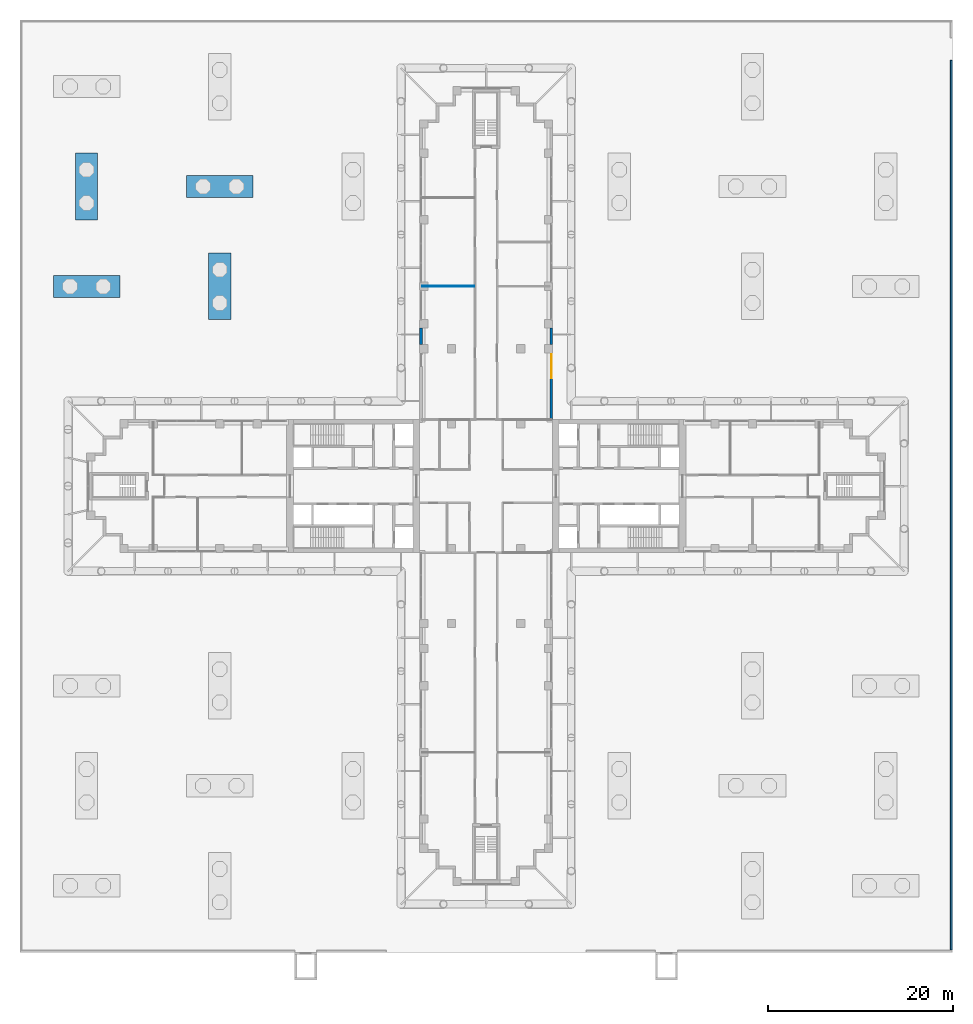
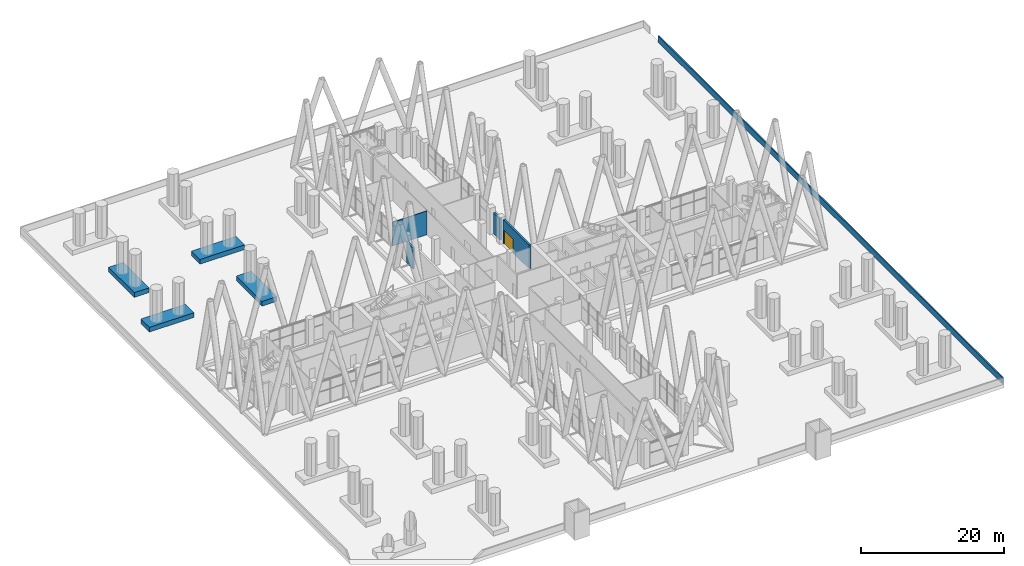
# One storey, part 24 of 31: 9 walls, 1 door, 1 opening.
"""IFC4 building model written with IfcOpenShell, lengths in metres."""

from ifc_helpers import new_model, si_unit, direction, frame, frame_2d, origin, place, context, subcontext, project, spatial, rectangle, extrude, material, layer, layer_set, type_object, element, fill, save


model = new_model("IFC4")

# Units and contexts
model_context = context("Model", 3, precision=1e-05, world=origin(), true_north=direction((0.0, 1.0)))
body_context = subcontext(model_context, "Body", "Model", "MODEL_VIEW")
ifc_project = project(units=[si_unit("LENGTHUNIT", "METRE"), si_unit("AREAUNIT", "SQUARE_METRE"), si_unit("VOLUMEUNIT", "CUBIC_METRE"), si_unit("PLANEANGLEUNIT", "RADIAN"), si_unit("MASSUNIT", "GRAM", prefix="KILO")], contexts=[model_context])

# Site, building, storey
site_placement = place(None, origin())
site = spatial("IfcSite", under=ifc_project, at=site_placement, CompositionType="ELEMENT")
building_placement = place(site_placement, origin())
building = spatial("IfcBuilding", under=site, at=building_placement, Name="Fustian Cross Tower", CompositionType="ELEMENT")
storey_placement = place(building_placement, frame((0.0, 0.0, 7.199951171875)))
storey = spatial("IfcBuildingStorey", under=building, at=storey_placement, Name="L01", CompositionType="ELEMENT", Elevation=7.199951171875)

# Wall, opening, door
ifc_material_1 = material(Name="Dark rainscreen cladding on blockwork", Category="masonry")
ifc_layer_1 = layer(ifc_material_1, 0.300048828125)
ifc_layer_set_1 = layer_set([ifc_layer_1], Name="Dark rainscreen cladding on blockwork")
wall_type_1 = type_object("IfcWallType", Name="EXTERNAL WALL 300 CLADDING", PredefinedType="SOLIDWALL", material=ifc_layer_set_1)
wall_1_placement = place(storey_placement, frame((7.050048828125, 7.199951171875, 0.0), z_axis=(0.0, 0.0, 1.0), x_axis=(0.0, 1.0, 0.0)))
wall_1 = element("IfcWall", 1, at=wall_1_placement, inside=storey, type_object=wall_type_1, Name="Garden-level wall N130", PredefinedType="SOLIDWALL", context=body_context, shape_type="SweptSolid", body=[
    extrude(rectangle(XDim=7.199951171875, YDim=0.300048828125, at=frame_2d((3.60009765625, 0.0))), origin(), (0.0, 0.0, 1.0), 4.074951171875),
])
opening_placement = place(wall_1_placement, frame((4.449951171875, 0.0, 0.0)))
opening = element("IfcOpeningElement", 2, at=opening_placement, cuts=wall_1, Name="Opening EDG01", PredefinedType="OPENING", context=body_context, shape_type="SweptSolid", body=[
    extrude(rectangle(XDim=2.60009765625, YDim=2.39990234375, at=frame_2d((1.300048828125, 1.199951171875))), frame((0.0, 0.159912109375, 0.0), z_axis=(0.0, -1.0, 0.0), x_axis=(1.0, 0.0, 0.0)), (0.0, 0.0, 1.0), 0.320068359375),
])
ifc_material_2 = material(Name="Aluminium and glass", Category="aluminium")
door_type = type_object("IfcDoorType", Name="ENTRANCE DOOR 2600", OperationType="DOUBLE_DOOR_SINGLE_SWING", PredefinedType="DOOR", material=ifc_material_2)
door_placement = place(opening_placement, frame((2.60009765625, 0.0, 0.0), z_axis=(0.0, 0.0, 1.0), x_axis=(-1.0, 0.0, 0.0)))
door = element("IfcDoor", 3, at=door_placement, inside=storey, type_object=door_type, Name="Garden door 1", OperationType="DOUBLE_DOOR_DOUBLE_SWING", OverallHeight=2.39990234375, OverallWidth=2.60009765625, PredefinedType="DOOR", context=body_context, shape_type="SweptSolid", body=[
    extrude(rectangle(XDim=2.60009765625, YDim=2.39990234375, at=frame_2d((1.300048828125, 1.199951171875))), frame((0.0, 0.02490234375, 0.0), z_axis=(0.0, -1.0, 0.0), x_axis=(1.0, 0.0, 0.0)), (0.0, 0.0, 1.0), 0.050048828125),
])
fill(opening, door)

# Walls
for number, where, z_axis, x_axis, name in (
    (4, (7.050048828125, 15.300048828125, 0.0), (0.0, 0.0, 1.0), (0.0, 1.0, 0.0), "Garden-level wall N131"),
    (5, (-7.050048828125, 17.10009765625, 0.0), (0.0, 0.0, 1.0), (0.0, -1.0, 0.0), "Garden-level wall N234"),
):
    element("IfcWall", number, at=place(storey_placement, frame(where, z_axis=z_axis, x_axis=x_axis)), inside=storey, type_object=wall_type_1, Name=name, PredefinedType="SOLIDWALL", context=body_context, shape_type="SweptSolid", body=[
        extrude(rectangle(XDim=1.800048828125, YDim=0.300048828125, at=frame_2d((0.89990234375, 0.0))), origin(), (0.0, 0.0, 1.0), 3.60009765625),
    ])
ifc_material_3 = material(Name="Dark rainscreen cladding on blockwork", Category="masonry")
ifc_layer_2 = layer(ifc_material_3, 0.199951171875)
ifc_layer_set_2 = layer_set([ifc_layer_2], Name="Dark rainscreen cladding on blockwork")
wall_type_2 = type_object("IfcWallType", Name="PARAPET 200", PredefinedType="PARAPET", material=ifc_layer_set_2)
wall_2_placement = place(storey_placement, frame((50.300048828125, -50.199951171875, 0.0), z_axis=(0.0, 0.0, 1.0), x_axis=(0.0, 1.0, 0.0)))
element("IfcWall", 6, at=wall_2_placement, inside=storey, type_object=wall_type_2, Name="Deck parapet E", PredefinedType="PARAPET", context=body_context, shape_type="SweptSolid", body=[
    extrude(rectangle(XDim=96.263671875, YDim=0.199951171875, at=frame_2d((48.1318359375, 0.0))), origin(), (0.0, 0.0, 1.0), 1.10009765625),
])
ifc_material_4 = material(Name="Plasterboard on steel stud", Category="steel")
ifc_layer_3 = layer(ifc_material_4, 0.10009765625)
ifc_layer_set_3 = layer_set([ifc_layer_3], Name="Plasterboard on steel stud")
wall_type_3 = type_object("IfcWallType", Name="PARTITION 100 STUD", PredefinedType="PARTITIONING", material=ifc_layer_set_3)
wall_3_placement = place(storey_placement, frame((-6.89990234375, 21.60009765625, 0.0), z_axis=(0.0, 0.0, 1.0), x_axis=(1.0, 0.0, 0.0)))
element("IfcWall", 7, at=wall_3_placement, inside=storey, type_object=wall_type_3, Name="Partition 15", PredefinedType="PARTITIONING", context=body_context, shape_type="SweptSolid", body=[
    extrude(rectangle(XDim=5.625, YDim=0.10009765625, at=frame_2d((2.8125, 0.0))), origin(), (0.0, 0.0, 1.0), 4.074951171875),
])
ifc_material_5 = material(Name="Concrete C40/50", Category="concrete")
ifc_layer_4 = layer(ifc_material_5, 2.39990234375)
ifc_layer_set_4 = layer_set([ifc_layer_4], Name="Concrete C40/50")
wall_type_4 = type_object("IfcWallType", Name="PLANTER KERB", PredefinedType="SOLIDWALL", material=ifc_layer_set_4)
for number, where, z_axis, x_axis, name in (
    (8, (-46.800048828125, 21.60009765625, 0.0), (0.0, 0.0, 1.0), (1.0, 0.0, 0.0), "PLANTER D4"),
    (9, (-43.199951171875, 28.800048828125, 0.0), (0.0, 0.0, 1.0), (0.0, 1.0, 0.0), "PLANTER D5"),
    (10, (-28.800048828125, 18.0, 0.0), (0.0, 0.0, 1.0), (0.0, 1.0, 0.0), "PLANTER D10"),
    (11, (-32.39990234375, 32.39990234375, 0.0), (0.0, 0.0, 1.0), (1.0, 0.0, 0.0), "PLANTER D11"),
):
    element("IfcWall", number, at=place(storey_placement, frame(where, z_axis=z_axis, x_axis=x_axis)), inside=storey, type_object=wall_type_4, Name=name, PredefinedType="SOLIDWALL", context=body_context, shape_type="SweptSolid", body=[
        extrude(rectangle(XDim=7.199951171875, YDim=2.39990234375, at=frame_2d((3.60009765625, 0.0))), origin(), (0.0, 0.0, 1.0), 0.800048828125),
    ])

save(model, "model.ifc")
